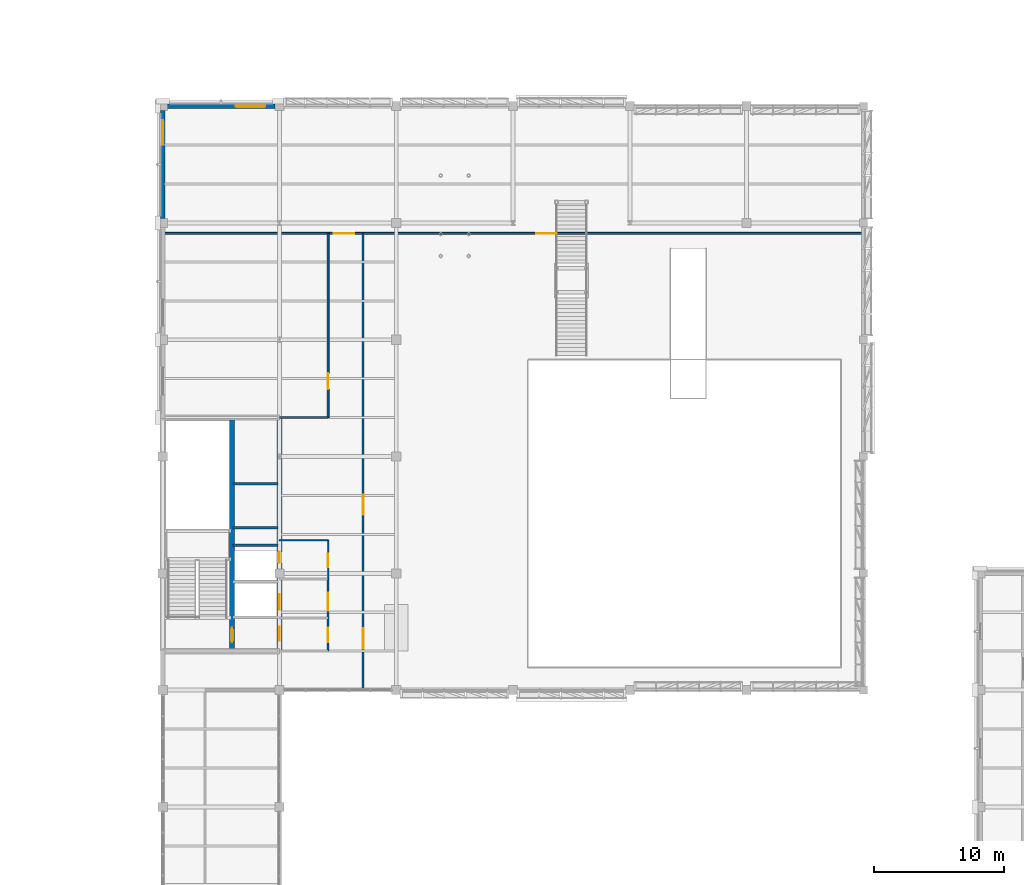
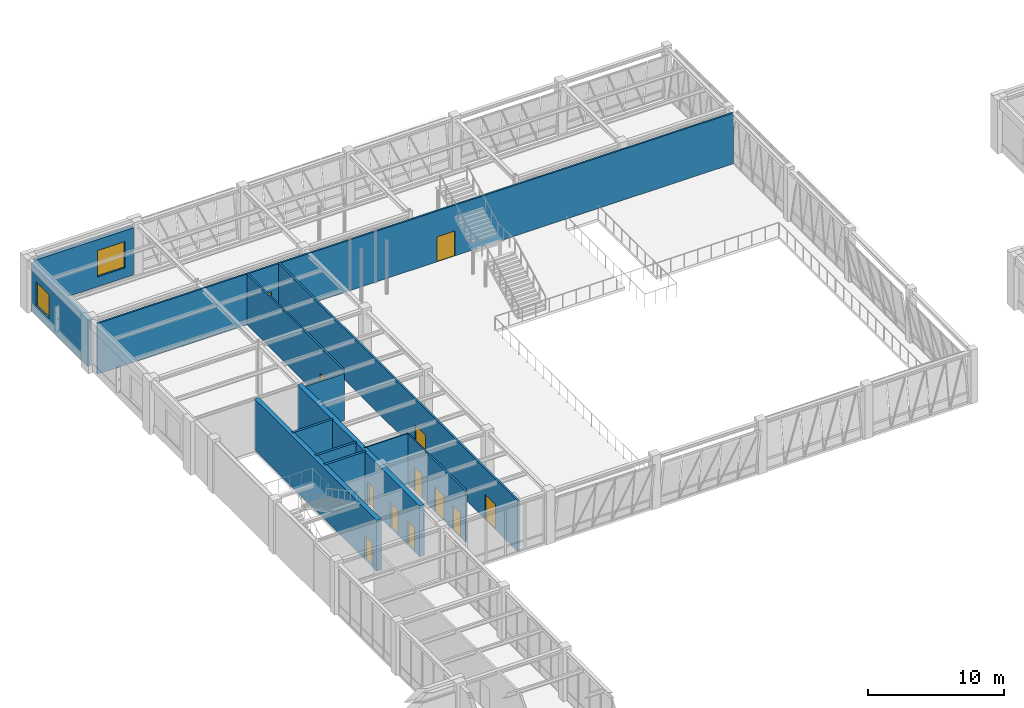
# One storey, part 84 of 98: 14 walls, 12 doors, 2 windows, 14 openings.
"""IFC4 building model written with IfcOpenShell, lengths in metres."""

from ifc_helpers import new_model, si_unit, direction, frame, frame_2d, origin, place, context, subcontext, project, spatial, rectangle, extrude, material, layer, layer_set, type_object, element, fill, save


model = new_model("IFC4")

# Units and contexts
model_context = context("Model", 3, precision=1e-05, world=origin(), true_north=direction((0.0, 1.0)))
body_context = subcontext(model_context, "Body", "Model", "MODEL_VIEW")
ifc_project = project(units=[si_unit("LENGTHUNIT", "METRE"), si_unit("AREAUNIT", "SQUARE_METRE"), si_unit("VOLUMEUNIT", "CUBIC_METRE"), si_unit("PLANEANGLEUNIT", "RADIAN"), si_unit("MASSUNIT", "GRAM", prefix="KILO")], contexts=[model_context])

# Site, building, storey
site_placement = place(None, origin())
site = spatial("IfcSite", under=ifc_project, at=site_placement, CompositionType="ELEMENT")
building_placement = place(site_placement, origin())
building = spatial("IfcBuilding", under=site, at=building_placement, Name="Lykobir Media Centre", CompositionType="ELEMENT")
storey_placement = place(building_placement, frame((0.0, 0.0, 10.199951171875)))
storey = spatial("IfcBuildingStorey", under=building, at=storey_placement, Name="L02", CompositionType="ELEMENT", Elevation=10.199951171875)

# Wall, opening, window
ifc_material_1 = material(Name="Architectural Ochre Brick", Category="masonry")
ifc_layer_1 = layer(ifc_material_1, 0.330078125, Name="Architectural Ochre Brick")
ifc_layer_set_1 = layer_set([ifc_layer_1], Name="Architectural Ochre Brick")
wall_type_1 = type_object("IfcWallType", Name="EW-BRK-330", PredefinedType="STANDARD", material=ifc_layer_set_1)
wall_1_placement = place(storey_placement, frame((35.6650390625, 108.0, 0.0), z_axis=(0.0, 0.0, 1.0), x_axis=(-1.0, 0.0, 0.0)))
wall_1 = element("IfcWall", 1, at=wall_1_placement, inside=storey, type_object=wall_type_1, Name="Exterior wall WALL-L02-0179", PredefinedType="STANDARD", context=body_context, shape_type="SweptSolid", body=[
    extrude(rectangle(XDim=8.330078125, YDim=0.330078125, at=frame_2d((4.1650390625, 0.0))), origin(), (0.0, 0.0, 1.0), 4.235107421875),
])
opening_1_placement = place(wall_1_placement, frame((0.75, 0.0, 0.89990234375)))
opening_1 = element("IfcOpeningElement", 2, at=opening_1_placement, cuts=wall_1, Name="Opening WN-2300x2350", PredefinedType="OPENING", context=body_context, shape_type="SweptSolid", body=[
    extrude(rectangle(XDim=2.300048828125, YDim=2.35009765625, at=frame_2d((1.14990234375, 1.175048828125))), frame((0.0, 0.175048828125, 0.0), z_axis=(0.0, -1.0, 0.0), x_axis=(1.0, 0.0, 0.0)), (0.0, 0.0, 1.0), 0.35009765625),
])
ifc_material_2 = material(Name="Low-E Laminated Triple Glazing", Category="glass")
window_type_1 = type_object("IfcWindowType", Name="WN-2300x2350", PartitioningType="SINGLE_PANEL", PredefinedType="WINDOW", material=ifc_material_2)
window_1_placement = place(opening_1_placement, origin())
window_1 = element("IfcWindow", 3, at=window_1_placement, inside=storey, type_object=window_type_1, Name="Window WIN-L02-0053", OverallHeight=2.35009765625, OverallWidth=2.300048828125, PartitioningType="SINGLE_PANEL", PredefinedType="WINDOW", context=body_context, shape_type="SweptSolid", body=[
    extrude(rectangle(XDim=2.300048828125, YDim=2.35009765625, at=frame_2d((1.14990234375, 1.175048828125))), frame((0.0, 0.030029296875, 0.0), z_axis=(0.0, -1.0, 0.0), x_axis=(1.0, 0.0, 0.0)), (0.0, 0.0, 1.0), 0.06005859375),
])
fill(opening_1, window_1)

wall_2_placement = place(storey_placement, frame((27.0, 107.6650390625, 0.0), z_axis=(0.0, 0.0, 1.0), x_axis=(0.0, -1.0, 0.0)))
wall_2 = element("IfcWall", 4, at=wall_2_placement, inside=storey, type_object=wall_type_1, Name="Exterior wall WALL-L02-0183", PredefinedType="STANDARD", context=body_context, shape_type="SweptSolid", body=[
    extrude(rectangle(XDim=8.330078125, YDim=0.330078125, at=frame_2d((4.1650390625, 0.0))), origin(), (0.0, 0.0, 1.0), 4.235107421875),
])
opening_2_placement = place(wall_2_placement, frame((0.75, 0.0, 0.89990234375)))
opening_2 = element("IfcOpeningElement", 5, at=opening_2_placement, cuts=wall_2, Name="Opening WN-1900x2150", PredefinedType="OPENING", context=body_context, shape_type="SweptSolid", body=[
    extrude(rectangle(XDim=1.89990234375, YDim=2.14990234375, at=frame_2d((0.949951171875, 1.074951171875))), frame((0.0, 0.175048828125, 0.0), z_axis=(0.0, -1.0, 0.0), x_axis=(1.0, 0.0, 0.0)), (0.0, 0.0, 1.0), 0.35009765625),
])
window_type_2 = type_object("IfcWindowType", Name="WN-1900x2150", PartitioningType="SINGLE_PANEL", PredefinedType="WINDOW", material=ifc_material_2)
window_2_placement = place(opening_2_placement, origin())
window_2 = element("IfcWindow", 6, at=window_2_placement, inside=storey, type_object=window_type_2, Name="Window WIN-L02-0056", OverallHeight=2.14990234375, OverallWidth=1.89990234375, PartitioningType="SINGLE_PANEL", PredefinedType="WINDOW", context=body_context, shape_type="SweptSolid", body=[
    extrude(rectangle(XDim=1.89990234375, YDim=2.14990234375, at=frame_2d((0.949951171875, 1.074951171875))), frame((0.0, 0.030029296875, 0.0), z_axis=(0.0, -1.0, 0.0), x_axis=(1.0, 0.0, 0.0)), (0.0, 0.0, 1.0), 0.06005859375),
])
fill(opening_2, window_2)

# Wall, opening, door
ifc_material_3 = material(Name="Acoustic Gypsum Board", Category="gypsum")
ifc_layer_2 = layer(ifc_material_3, 0.14501953125, Name="Acoustic Gypsum Board")
ifc_layer_set_2 = layer_set([ifc_layer_2], Name="Acoustic Gypsum Board")
wall_type_2 = type_object("IfcWallType", Name="IW-COR-145", PredefinedType="PARTITIONING", material=ifc_layer_set_2)
wall_3_placement = place(storey_placement, frame((39.75, 84.0, 0.0), z_axis=(0.0, 0.0, 1.0), x_axis=(0.0, 1.0, 0.0)))
wall_3 = element("IfcWall", 7, at=wall_3_placement, inside=storey, type_object=wall_type_2, Name="Wall IWALL-L02-0707", PredefinedType="PARTITIONING", context=body_context, shape_type="SweptSolid", body=[
    extrude(rectangle(XDim=14.199951171875, YDim=0.14501953125, at=frame_2d((7.10009765625, 0.0))), origin(), (0.0, 0.0, 1.0), 4.56005859375),
])
opening_3_placement = place(wall_3_placement, frame((2.199951171875, 0.0, 0.0)))
opening_3 = element("IfcOpeningElement", 8, at=opening_3_placement, cuts=wall_3, Name="Opening D-L02-NWS1", PredefinedType="OPENING", context=body_context, shape_type="SweptSolid", body=[
    extrude(rectangle(XDim=1.199951171875, YDim=2.179931640625, at=frame_2d((0.60009765625, 1.08984375))), frame((0.0, 0.08251953125, 0.0), z_axis=(0.0, -1.0, 0.0), x_axis=(1.0, 0.0, 0.0)), (0.0, 0.0, 1.0), 0.1650390625),
])
ifc_material_4 = material(Name="Acoustic Timber Panelling", Category="wood")
door_type_1 = type_object("IfcDoorType", Name="FD-1200x2180", OperationType="NOTDEFINED", PredefinedType="DOOR", material=ifc_material_4)
door_1_placement = place(opening_3_placement, origin())
door_1 = element("IfcDoor", 9, at=door_1_placement, inside=storey, type_object=door_type_1, Name="Door D-L02-NWS1", OperationType="SINGLE_SWING_LEFT", OverallHeight=2.179931640625, OverallWidth=1.199951171875, PredefinedType="DOOR", context=body_context, shape_type="SweptSolid", body=[
    extrude(rectangle(XDim=1.199951171875, YDim=2.179931640625, at=frame_2d((0.60009765625, 1.08984375))), frame((0.0, 0.02490234375, 0.0), z_axis=(0.0, -1.0, 0.0), x_axis=(1.0, 0.0, 0.0)), (0.0, 0.0, 1.0), 0.050048828125),
])
fill(opening_3, door_1)

# Wall, openings, doors
wall_4_placement = place(storey_placement, frame((27.0, 98.199951171875, 0.0), z_axis=(0.0, 0.0, 1.0), x_axis=(1.0, 0.0, 0.0)))
wall_4 = element("IfcWall", 10, at=wall_4_placement, inside=storey, type_object=wall_type_2, Name="Wall IWALL-L02-0708", PredefinedType="PARTITIONING", context=body_context, shape_type="SweptSolid", body=[
    extrude(rectangle(XDim=54.0, YDim=0.14501953125, at=frame_2d((27.0, 0.0))), origin(), (0.0, 0.0, 1.0), 4.56005859375),
])
opening_4_placement = place(wall_4_placement, frame((13.199951171875, 0.0, 0.0)))
opening_4 = element("IfcOpeningElement", 11, at=opening_4_placement, cuts=wall_4, Name="Opening D-L02-LIB1", PredefinedType="OPENING", context=body_context, shape_type="SweptSolid", body=[
    extrude(rectangle(XDim=1.550048828125, YDim=2.239990234375, at=frame_2d((0.77490234375, 1.1201171875))), frame((0.0, 0.08251953125, 0.0), z_axis=(0.0, -1.0, 0.0), x_axis=(1.0, 0.0, 0.0)), (0.0, 0.0, 1.0), 0.1650390625),
])
opening_5_placement = place(wall_4_placement, frame((28.800048828125, 0.0, 0.0)))
opening_5 = element("IfcOpeningElement", 12, at=opening_5_placement, cuts=wall_4, Name="Opening D-L02-LIB2", PredefinedType="OPENING", context=body_context, shape_type="SweptSolid", body=[
    extrude(rectangle(XDim=1.550048828125, YDim=2.239990234375, at=frame_2d((0.77490234375, 1.1201171875))), frame((0.0, 0.08251953125, 0.0), z_axis=(0.0, -1.0, 0.0), x_axis=(1.0, 0.0, 0.0)), (0.0, 0.0, 1.0), 0.1650390625),
])
door_type_2 = type_object("IfcDoorType", Name="FD-1550x2240", OperationType="NOTDEFINED", PredefinedType="DOOR", material=ifc_material_4)
door_2_placement = place(opening_4_placement, origin())
door_2 = element("IfcDoor", 13, at=door_2_placement, inside=storey, type_object=door_type_2, Name="Door D-L02-LIB1", OperationType="DOUBLE_DOOR_SINGLE_SWING", OverallHeight=2.239990234375, OverallWidth=1.550048828125, PredefinedType="DOOR", context=body_context, shape_type="SweptSolid", body=[
    extrude(rectangle(XDim=1.550048828125, YDim=2.239990234375, at=frame_2d((0.77490234375, 1.1201171875))), frame((0.0, 0.02490234375, 0.0), z_axis=(0.0, -1.0, 0.0), x_axis=(1.0, 0.0, 0.0)), (0.0, 0.0, 1.0), 0.050048828125),
])
fill(opening_4, door_2)
door_3_placement = place(opening_5_placement, origin())
door_3 = element("IfcDoor", 14, at=door_3_placement, inside=storey, type_object=door_type_2, Name="Door D-L02-LIB2", OperationType="DOUBLE_DOOR_SINGLE_SWING", OverallHeight=2.239990234375, OverallWidth=1.550048828125, PredefinedType="DOOR", context=body_context, shape_type="SweptSolid", body=[
    extrude(rectangle(XDim=1.550048828125, YDim=2.239990234375, at=frame_2d((0.77490234375, 1.1201171875))), frame((0.0, 0.02490234375, 0.0), z_axis=(0.0, -1.0, 0.0), x_axis=(1.0, 0.0, 0.0)), (0.0, 0.0, 1.0), 0.050048828125),
])
fill(opening_5, door_3)

ifc_layer_3 = layer(ifc_material_3, 0.159912109375, Name="Acoustic Gypsum Board")
ifc_layer_set_3 = layer_set([ifc_layer_3], Name="Acoustic Gypsum Board")
wall_type_3 = type_object("IfcWallType", Name="IW-COR-160", PredefinedType="PARTITIONING", material=ifc_layer_set_3)
wall_5_placement = place(storey_placement, frame((39.75, 66.0, 0.0), z_axis=(0.0, 0.0, 1.0), x_axis=(0.0, 1.0, 0.0)))
wall_5 = element("IfcWall", 15, at=wall_5_placement, inside=storey, type_object=wall_type_3, Name="Wall IWALL-L02-0401", PredefinedType="PARTITIONING", context=body_context, shape_type="SweptSolid", body=[
    extrude(rectangle(XDim=5.550048828125, YDim=0.159912109375, at=frame_2d((2.77490234375, 0.0))), origin(), (0.0, 0.0, 1.0), 4.56005859375),
])
opening_6_placement = place(wall_5_placement, frame((0.699951171875, 0.0, 0.0)))
opening_6 = element("IfcOpeningElement", 16, at=opening_6_placement, cuts=wall_5, Name="Opening D-L02-C3LV", PredefinedType="OPENING", context=body_context, shape_type="SweptSolid", body=[
    extrude(rectangle(XDim=1.10009765625, YDim=2.159912109375, at=frame_2d((0.550048828125, 1.080078125))), frame((0.0, 0.08984375, 0.0), z_axis=(0.0, -1.0, 0.0), x_axis=(1.0, 0.0, 0.0)), (0.0, 0.0, 1.0), 0.179931640625),
])
opening_7_placement = place(wall_5_placement, frame((3.10009765625, 0.0, 0.0)))
opening_7 = element("IfcOpeningElement", 17, at=opening_7_placement, cuts=wall_5, Name="Opening D-L02-C3PL", PredefinedType="OPENING", context=body_context, shape_type="SweptSolid", body=[
    extrude(rectangle(XDim=1.39990234375, YDim=2.199951171875, at=frame_2d((0.699951171875, 1.10009765625))), frame((0.0, 0.08984375, 0.0), z_axis=(0.0, -1.0, 0.0), x_axis=(1.0, 0.0, 0.0)), (0.0, 0.0, 1.0), 0.179931640625),
])
door_type_3 = type_object("IfcDoorType", Name="FD-1100x2160", OperationType="NOTDEFINED", PredefinedType="DOOR", material=ifc_material_4)
door_4_placement = place(opening_6_placement, origin())
door_4 = element("IfcDoor", 18, at=door_4_placement, inside=storey, type_object=door_type_3, Name="Door D-L02-C3LV", OperationType="SINGLE_SWING_RIGHT", OverallHeight=2.159912109375, OverallWidth=1.10009765625, PredefinedType="DOOR", context=body_context, shape_type="SweptSolid", body=[
    extrude(rectangle(XDim=1.10009765625, YDim=2.159912109375, at=frame_2d((0.550048828125, 1.080078125))), frame((0.0, 0.02490234375, 0.0), z_axis=(0.0, -1.0, 0.0), x_axis=(1.0, 0.0, 0.0)), (0.0, 0.0, 1.0), 0.050048828125),
])
fill(opening_6, door_4)
door_type_4 = type_object("IfcDoorType", Name="FD-1400x2200", OperationType="NOTDEFINED", PredefinedType="DOOR", material=ifc_material_4)
door_5_placement = place(opening_7_placement, origin())
door_5 = element("IfcDoor", 19, at=door_5_placement, inside=storey, type_object=door_type_4, Name="Door D-L02-C3PL", OperationType="DOUBLE_DOOR_SINGLE_SWING", OverallHeight=2.199951171875, OverallWidth=1.39990234375, PredefinedType="DOOR", context=body_context, shape_type="SweptSolid", body=[
    extrude(rectangle(XDim=1.39990234375, YDim=2.199951171875, at=frame_2d((0.699951171875, 1.10009765625))), frame((0.0, 0.02490234375, 0.0), z_axis=(0.0, -1.0, 0.0), x_axis=(1.0, 0.0, 0.0)), (0.0, 0.0, 1.0), 0.050048828125),
])
fill(opening_7, door_5)

wall_6_placement = place(storey_placement, frame((42.449951171875, 63.0, 0.0), z_axis=(0.0, 0.0, 1.0), x_axis=(0.0, 1.0, 0.0)))
wall_6 = element("IfcWall", 20, at=wall_6_placement, inside=storey, type_object=wall_type_3, Name="Wall IWALL-L02-0705", PredefinedType="PARTITIONING", context=body_context, shape_type="SweptSolid", body=[
    extrude(rectangle(XDim=35.199951171875, YDim=0.159912109375, at=frame_2d((17.60009765625, 0.0))), origin(), (0.0, 0.0, 1.0), 4.56005859375),
])
opening_8_placement = place(wall_6_placement, frame((3.199951171875, 0.0, 0.0)))
opening_8 = element("IfcOpeningElement", 21, at=opening_8_placement, cuts=wall_6, Name="Opening D-L02-VAL1", PredefinedType="OPENING", context=body_context, shape_type="SweptSolid", body=[
    extrude(rectangle(XDim=1.550048828125, YDim=2.239990234375, at=frame_2d((0.77490234375, 1.1201171875))), frame((0.0, 0.08984375, 0.0), z_axis=(0.0, -1.0, 0.0), x_axis=(1.0, 0.0, 0.0)), (0.0, 0.0, 1.0), 0.179931640625),
])
opening_9_placement = place(wall_6_placement, frame((13.5, 0.0, 0.0)))
opening_9 = element("IfcOpeningElement", 22, at=opening_9_placement, cuts=wall_6, Name="Opening D-L02-VAL2", PredefinedType="OPENING", context=body_context, shape_type="SweptSolid", body=[
    extrude(rectangle(XDim=1.550048828125, YDim=2.239990234375, at=frame_2d((0.77490234375, 1.1201171875))), frame((0.0, 0.08984375, 0.0), z_axis=(0.0, -1.0, 0.0), x_axis=(1.0, 0.0, 0.0)), (0.0, 0.0, 1.0), 0.179931640625),
])
door_6_placement = place(opening_8_placement, origin())
door_6 = element("IfcDoor", 23, at=door_6_placement, inside=storey, type_object=door_type_2, Name="Door D-L02-VAL1", OperationType="DOUBLE_DOOR_SINGLE_SWING", OverallHeight=2.239990234375, OverallWidth=1.550048828125, PredefinedType="DOOR", context=body_context, shape_type="SweptSolid", body=[
    extrude(rectangle(XDim=1.550048828125, YDim=2.239990234375, at=frame_2d((0.77490234375, 1.1201171875))), frame((0.0, 0.02490234375, 0.0), z_axis=(0.0, -1.0, 0.0), x_axis=(1.0, 0.0, 0.0)), (0.0, 0.0, 1.0), 0.050048828125),
])
fill(opening_8, door_6)
door_7_placement = place(opening_9_placement, origin())
door_7 = element("IfcDoor", 24, at=door_7_placement, inside=storey, type_object=door_type_2, Name="Door D-L02-VAL2", OperationType="DOUBLE_DOOR_SINGLE_SWING", OverallHeight=2.239990234375, OverallWidth=1.550048828125, PredefinedType="DOOR", context=body_context, shape_type="SweptSolid", body=[
    extrude(rectangle(XDim=1.550048828125, YDim=2.239990234375, at=frame_2d((0.77490234375, 1.1201171875))), frame((0.0, 0.02490234375, 0.0), z_axis=(0.0, -1.0, 0.0), x_axis=(1.0, 0.0, 0.0)), (0.0, 0.0, 1.0), 0.050048828125),
])
fill(opening_9, door_7)

# Walls
wall_7_placement = place(storey_placement, frame((36.0, 84.0, 0.0), z_axis=(0.0, 0.0, 1.0), x_axis=(1.0, 0.0, 0.0)))
element("IfcWall", 25, at=wall_7_placement, inside=storey, type_object=wall_type_3, Name="Wall IWALL-L02-0706", PredefinedType="PARTITIONING", context=body_context, shape_type="SweptSolid", body=[
    extrude(rectangle(XDim=3.75, YDim=0.159912109375, at=frame_2d((1.875, 0.0))), origin(), (0.0, 0.0, 1.0), 4.215087890625),
])
ifc_material_5 = material(Name="Concrete C30/37", Category="concrete")
ifc_layer_4 = layer(ifc_material_5, 0.199951171875, Name="Concrete C30/37")
ifc_layer_set_4 = layer_set([ifc_layer_4], Name="Concrete C30/37")
wall_type_4 = type_object("IfcWallType", Name="IW-SHAFT-200", PredefinedType="PARTITIONING", material=ifc_layer_set_4)
for number, where, z_axis, x_axis, name in (
    (26, (32.39990234375, 74.14990234375, 0.0), (0.0, 0.0, 1.0), (1.0, 0.0, 0.0), "Wall IWALL-L02-0398"),
    (27, (32.39990234375, 75.5, 0.0), (0.0, 0.0, 1.0), (1.0, 0.0, 0.0), "Wall IWALL-L02-0399"),
    (28, (32.39990234375, 78.89990234375, 0.0), (0.0, 0.0, 1.0), (1.0, 0.0, 0.0), "Wall IWALL-L02-0400"),
):
    element("IfcWall", number, at=place(storey_placement, frame(where, z_axis=z_axis, x_axis=x_axis)), inside=storey, type_object=wall_type_4, Name=name, PredefinedType="PARTITIONING", context=body_context, shape_type="SweptSolid", body=[
        extrude(rectangle(XDim=3.5, YDim=0.199951171875, at=frame_2d((1.75, 0.0))), origin(), (0.0, 0.0, 1.0), 4.56005859375),
    ])

# Wall, opening, door
ifc_layer_5 = layer(ifc_material_3, 0.094970703125, Name="Acoustic Gypsum Board")
ifc_layer_set_5 = layer_set([ifc_layer_5], Name="Acoustic Gypsum Board")
wall_type_5 = type_object("IfcWallType", Name="IW-WC-095", PredefinedType="PARTITIONING", material=ifc_layer_set_5)
wall_8_placement = place(storey_placement, frame((39.75, 71.550048828125, 0.0), z_axis=(0.0, 0.0, 1.0), x_axis=(0.0, 1.0, 0.0)))
wall_8 = element("IfcWall", 29, at=wall_8_placement, inside=storey, type_object=wall_type_5, Name="Wall IWALL-L02-0405", PredefinedType="PARTITIONING", context=body_context, shape_type="SweptSolid", body=[
    extrude(rectangle(XDim=3.0, YDim=0.094970703125, at=frame_2d((1.5, 0.0))), origin(), (0.0, 0.0, 1.0), 4.56005859375),
])
opening_10_placement = place(wall_8_placement, frame((0.89990234375, 0.0, 0.0)))
opening_10 = element("IfcOpeningElement", 30, at=opening_10_placement, cuts=wall_8, Name="Opening D-L02-WCA3", PredefinedType="OPENING", context=body_context, shape_type="SweptSolid", body=[
    extrude(rectangle(XDim=1.050048828125, YDim=2.1298828125, at=frame_2d((0.52490234375, 1.06494140625))), frame((0.0, 0.057373046875, 0.0), z_axis=(0.0, -1.0, 0.0), x_axis=(1.0, 0.0, 0.0)), (0.0, 0.0, 1.0), 0.114990234375),
])
door_type_5 = type_object("IfcDoorType", Name="ID-1050x2130", OperationType="NOTDEFINED", PredefinedType="DOOR", material=ifc_material_4)
door_8_placement = place(opening_10_placement, origin())
door_8 = element("IfcDoor", 31, at=door_8_placement, inside=storey, type_object=door_type_5, Name="Door D-L02-WCA3", OperationType="SINGLE_SWING_LEFT", OverallHeight=2.1298828125, OverallWidth=1.050048828125, PredefinedType="DOOR", context=body_context, shape_type="SweptSolid", body=[
    extrude(rectangle(XDim=1.050048828125, YDim=2.1298828125, at=frame_2d((0.52490234375, 1.06494140625))), frame((0.0, 0.02490234375, 0.0), z_axis=(0.0, -1.0, 0.0), x_axis=(1.0, 0.0, 0.0)), (0.0, 0.0, 1.0), 0.050048828125),
])
fill(opening_10, door_8)

# Wall
wall_9_placement = place(storey_placement, frame((36.0, 74.550048828125, 0.0), z_axis=(0.0, 0.0, 1.0), x_axis=(1.0, 0.0, 0.0)))
element("IfcWall", 32, at=wall_9_placement, inside=storey, type_object=wall_type_5, Name="Wall IWALL-L02-0406", PredefinedType="PARTITIONING", context=body_context, shape_type="SweptSolid", body=[
    extrude(rectangle(XDim=3.75, YDim=0.094970703125, at=frame_2d((1.875, 0.0))), origin(), (0.0, 0.0, 1.0), 4.56005859375),
])

# Wall, openings, doors
ifc_material_6 = material(Name="Concrete C40/50", Category="concrete")
ifc_layer_6 = layer(ifc_material_6, 0.39990234375, Name="Concrete C40/50")
ifc_layer_set_6 = layer_set([ifc_layer_6], Name="Concrete C40/50")
wall_type_6 = type_object("IfcWallType", Name="SW-CORE-400", PredefinedType="SHEAR", material=ifc_layer_set_6)
wall_10_placement = place(storey_placement, frame((36.0, 66.0, 0.0), z_axis=(0.0, 0.0, 1.0), x_axis=(0.0, 1.0, 0.0)))
wall_10 = element("IfcWall", 33, at=wall_10_placement, inside=storey, type_object=wall_type_6, Name="Wall IWALL-L02-0392", PredefinedType="SHEAR", context=body_context, shape_type="SweptSolid", body=[
    extrude(rectangle(XDim=18.0, YDim=0.39990234375, at=frame_2d((9.0, 0.0))), origin(), (0.0, 0.0, 1.0), 4.56005859375),
])
opening_11_placement = place(wall_10_placement, frame((0.800048828125, 0.0, 0.0)))
opening_11 = element("IfcOpeningElement", 34, at=opening_11_placement, cuts=wall_10, Name="Opening D-L02-C3VB", PredefinedType="OPENING", context=body_context, shape_type="SweptSolid", body=[
    extrude(rectangle(XDim=1.10009765625, YDim=2.159912109375, at=frame_2d((0.550048828125, 1.080078125))), frame((0.0, 0.2099609375, 0.0), z_axis=(0.0, -1.0, 0.0), x_axis=(1.0, 0.0, 0.0)), (0.0, 0.0, 1.0), 0.419921875),
])
opening_12_placement = place(wall_10_placement, frame((3.199951171875, 0.0, 0.0)))
opening_12 = element("IfcOpeningElement", 35, at=opening_12_placement, cuts=wall_10, Name="Opening LD-L02-PL-3", PredefinedType="OPENING", context=body_context, shape_type="SweptSolid", body=[
    extrude(rectangle(XDim=1.199951171875, YDim=2.199951171875, at=frame_2d((0.60009765625, 1.10009765625))), frame((0.0, 0.2099609375, 0.0), z_axis=(0.0, -1.0, 0.0), x_axis=(1.0, 0.0, 0.0)), (0.0, 0.0, 1.0), 0.419921875),
])
opening_13_placement = place(wall_10_placement, frame((6.800048828125, 0.0, 0.0)))
opening_13 = element("IfcOpeningElement", 36, at=opening_13_placement, cuts=wall_10, Name="Opening D-L02-C3RS", PredefinedType="OPENING", context=body_context, shape_type="SweptSolid", body=[
    extrude(rectangle(XDim=0.85009765625, YDim=2.10009765625, at=frame_2d((0.425048828125, 1.050048828125))), frame((0.0, 0.2099609375, 0.0), z_axis=(0.0, -1.0, 0.0), x_axis=(1.0, 0.0, 0.0)), (0.0, 0.0, 1.0), 0.419921875),
])
ifc_material_7 = material(Name="Anodized Aluminium AW-6060", Category="aluminium")
door_type_6 = type_object("IfcDoorType", Name="FD-0850x2100", OperationType="NOTDEFINED", PredefinedType="DOOR", material=ifc_material_7)
door_9_placement = place(opening_13_placement, origin())
door_9 = element("IfcDoor", 37, at=door_9_placement, inside=storey, type_object=door_type_6, Name="Riser access door C3 L02", OperationType="SINGLE_SWING_LEFT", OverallHeight=2.10009765625, OverallWidth=0.85009765625, PredefinedType="DOOR", context=body_context, shape_type="SweptSolid", body=[
    extrude(rectangle(XDim=0.85009765625, YDim=2.10009765625, at=frame_2d((0.425048828125, 1.050048828125))), frame((0.0, 0.02490234375, 0.0), z_axis=(0.0, -1.0, 0.0), x_axis=(1.0, 0.0, 0.0)), (0.0, 0.0, 1.0), 0.050048828125),
])
fill(opening_13, door_9)
door_10_placement = place(opening_11_placement, origin())
door_10 = element("IfcDoor", 38, at=door_10_placement, inside=storey, type_object=door_type_3, Name="Door D-L02-C3VB", OperationType="SINGLE_SWING_RIGHT", OverallHeight=2.159912109375, OverallWidth=1.10009765625, PredefinedType="DOOR", context=body_context, shape_type="SweptSolid", body=[
    extrude(rectangle(XDim=1.10009765625, YDim=2.159912109375, at=frame_2d((0.550048828125, 1.080078125))), frame((0.0, 0.02490234375, 0.0), z_axis=(0.0, -1.0, 0.0), x_axis=(1.0, 0.0, 0.0)), (0.0, 0.0, 1.0), 0.050048828125),
])
fill(opening_11, door_10)
door_type_7 = type_object("IfcDoorType", Name="LD-1200x2200", OperationType="NOTDEFINED", PredefinedType="DOOR", material=ifc_material_7)
door_11_placement = place(opening_12_placement, origin())
door_11 = element("IfcDoor", 39, at=door_11_placement, inside=storey, type_object=door_type_7, Name="Lift landing door PL-3 L02", OperationType="SLIDING_TO_LEFT", OverallHeight=2.199951171875, OverallWidth=1.199951171875, PredefinedType="DOOR", context=body_context, shape_type="SweptSolid", body=[
    extrude(rectangle(XDim=1.199951171875, YDim=2.199951171875, at=frame_2d((0.60009765625, 1.10009765625))), frame((0.0, 0.02490234375, 0.0), z_axis=(0.0, -1.0, 0.0), x_axis=(1.0, 0.0, 0.0)), (0.0, 0.0, 1.0), 0.050048828125),
])
fill(opening_12, door_11)

# Wall, opening, door
wall_11_placement = place(storey_placement, frame((32.35009765625, 66.0, 0.0), z_axis=(0.0, 0.0, 1.0), x_axis=(0.0, 1.0, 0.0)))
wall_11 = element("IfcWall", 40, at=wall_11_placement, inside=storey, type_object=wall_type_6, Name="Wall IWALL-L02-0395", PredefinedType="SHEAR", context=body_context, shape_type="SweptSolid", body=[
    extrude(rectangle(XDim=18.0, YDim=0.39990234375, at=frame_2d((9.0, 0.0))), origin(), (0.0, 0.0, 1.0), 4.56005859375),
])
opening_14_placement = place(wall_11_placement, frame((0.699951171875, 0.0, 0.0)))
opening_14 = element("IfcOpeningElement", 41, at=opening_14_placement, cuts=wall_11, Name="Opening D-L02-C3ST", PredefinedType="OPENING", context=body_context, shape_type="SweptSolid", body=[
    extrude(rectangle(XDim=1.10009765625, YDim=2.159912109375, at=frame_2d((0.550048828125, 1.080078125))), frame((0.0, 0.2099609375, 0.0), z_axis=(0.0, -1.0, 0.0), x_axis=(1.0, 0.0, 0.0)), (0.0, 0.0, 1.0), 0.419921875),
])
door_12_placement = place(opening_14_placement, frame((1.10009765625, 0.0, 0.0), z_axis=(0.0, 0.0, 1.0), x_axis=(-1.0, 0.0, 0.0)))
door_12 = element("IfcDoor", 42, at=door_12_placement, inside=storey, type_object=door_type_3, Name="L02 ST-3 stairwell fire door", OperationType="SINGLE_SWING_LEFT", OverallHeight=2.159912109375, OverallWidth=1.10009765625, PredefinedType="DOOR", context=body_context, shape_type="SweptSolid", body=[
    extrude(rectangle(XDim=1.10009765625, YDim=2.159912109375, at=frame_2d((0.550048828125, 1.080078125))), frame((0.0, 0.02490234375, 0.0), z_axis=(0.0, -1.0, 0.0), x_axis=(1.0, 0.0, 0.0)), (0.0, 0.0, 1.0), 0.050048828125),
])
fill(opening_14, door_12)

save(model, "model.ifc")
